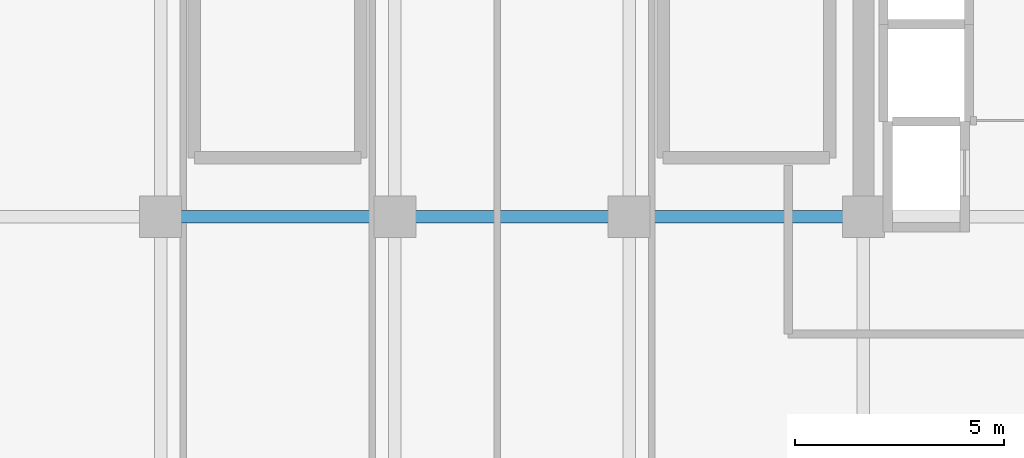
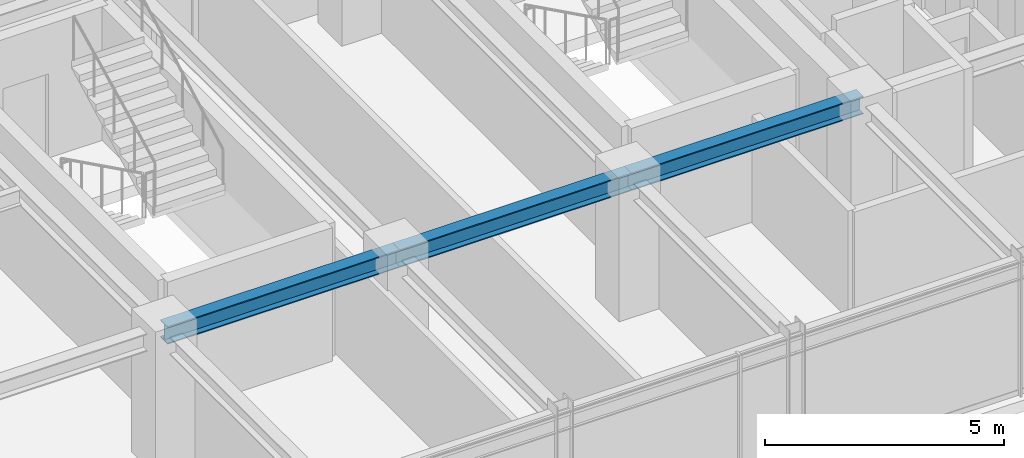
# One storey, part 7 of 36: 3 beams.
"""IFC4 building model written with IfcOpenShell, lengths in metres."""

from ifc_helpers import new_model, si_unit, direction, frame, origin, origin_2d, place, context, subcontext, project, spatial, i_section, extrude, source, transform, mapped, material, material_profile, profile_set, type_object, element, save


model = new_model("IFC4")

# Units and contexts
model_context = context("Model", 3, precision=1e-05, world=origin(), true_north=direction((0.0, 1.0)))
body_context = subcontext(model_context, "Body", "Model", "MODEL_VIEW")
ifc_project = project(units=[si_unit("LENGTHUNIT", "METRE"), si_unit("AREAUNIT", "SQUARE_METRE"), si_unit("VOLUMEUNIT", "CUBIC_METRE"), si_unit("PLANEANGLEUNIT", "RADIAN"), si_unit("MASSUNIT", "GRAM", prefix="KILO")], contexts=[model_context])

# Site, building, storey
site_placement = place(None, origin())
site = spatial("IfcSite", under=ifc_project, at=site_placement, CompositionType="ELEMENT")
building_placement = place(site_placement, origin())
building = spatial("IfcBuilding", under=site, at=building_placement, Name="Nahalor Promenade Grand Hotel", CompositionType="ELEMENT")
storey_placement = place(building_placement, frame((0.0, 0.0, 223.39990234375)))
storey = spatial("IfcBuildingStorey", under=building, at=storey_placement, Name="L57", CompositionType="ELEMENT", Elevation=223.39990234375)

# Beams
ifc_material = material(Name="Steel S355JR", Category="steel")
ifc_material_profile = material_profile(ifc_material, i_section(OverallWidth=0.3, OverallDepth=0.45, WebThickness=0.014, FlangeThickness=0.026, at=origin_2d()), Name="HEB 450")
ifc_profile_set = profile_set([ifc_material_profile], Name="Steel S355JR")
beam_type = type_object("IfcBeamType", Name="Beam-Girder-HEB450", PredefinedType="BEAM", material=ifc_profile_set)
shared_shape_1 = source(origin(), body_context, "Body", "SweptSolid", [
    extrude(i_section(OverallWidth=0.3, OverallDepth=0.45, WebThickness=0.014, FlangeThickness=0.026, at=origin_2d()), origin(), (0.0, 0.0, 1.0), 5.599853515625),
])
for number, where, z_axis, x_axis, name in (
    (1, (-8.39990234375, -17.0, 3.18505859375), (1.0, 0.0, 0.0), (0.0, 1.0, 0.0), "BM-L57-GX-0-2"),
    (2, (2.800048828125, -17.0, 3.18505859375), (1.0, 0.0, 0.0), (0.0, 1.0, 0.0), "BM-L57-GX-0-4"),
):
    element("IfcBeam", number, at=place(storey_placement, frame(where, z_axis=z_axis, x_axis=x_axis)), inside=storey, type_object=beam_type, Name=name, PredefinedType="BEAM", context=body_context, shape_type="MappedRepresentation", body=[
        mapped(shared_shape_1, transform((0.0, 0.0, 0.0), scale=1.0)),
    ])
shared_shape_2 = source(origin(), body_context, "Body", "SweptSolid", [
    extrude(i_section(OverallWidth=0.3, OverallDepth=0.45, WebThickness=0.014, FlangeThickness=0.026, at=origin_2d()), origin(), (0.0, 0.0, 1.0), 5.60009765625),
])
beam_placement = place(storey_placement, frame((-2.800048828125, -17.0, 3.18505859375), z_axis=(1.0, 0.0, 0.0), x_axis=(0.0, 1.0, 0.0)))
element("IfcBeam", 3, at=beam_placement, inside=storey, type_object=beam_type, Name="BM-L57-GX-0-3", PredefinedType="BEAM", context=body_context, shape_type="MappedRepresentation", body=[
    mapped(shared_shape_2, transform((0.0, 0.0, 0.0), scale=1.0)),
])

save(model, "model.ifc")
